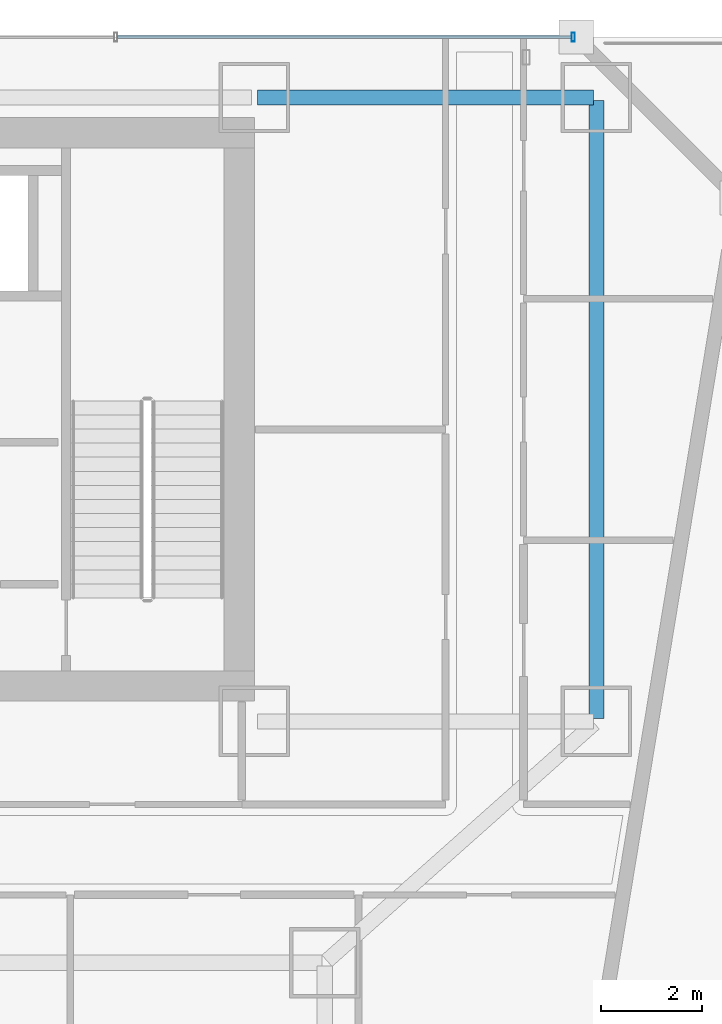
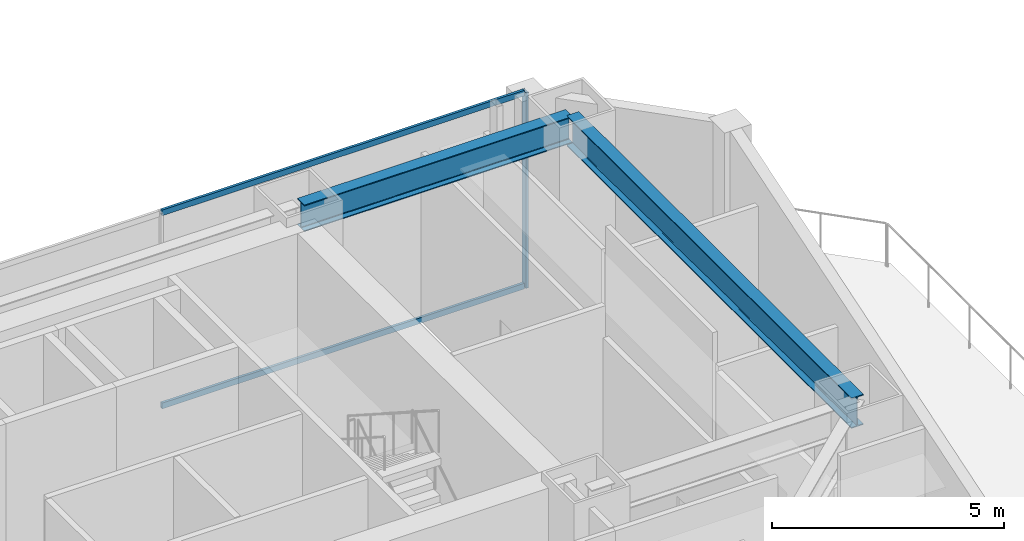
# One storey, part 19 of 29: 3 members, 2 beams, 1 element without a shape of its own.
"""IFC4 building model written with IfcOpenShell, lengths in metres."""

from ifc_helpers import new_model, si_unit, direction, frame, origin, origin_2d, place, context, subcontext, project, spatial, hollow_rectangle, i_section, extrude, material, material_profile, profile_set, type_object, element, aggregate, save


model = new_model("IFC4")

# Units and contexts
model_context = context("Model", 3, precision=1e-05, world=origin(), true_north=direction((0.0, 1.0)))
body_context = subcontext(model_context, "Body", "Model", "MODEL_VIEW")
ifc_project = project(units=[si_unit("LENGTHUNIT", "METRE"), si_unit("AREAUNIT", "SQUARE_METRE"), si_unit("VOLUMEUNIT", "CUBIC_METRE"), si_unit("PLANEANGLEUNIT", "RADIAN"), si_unit("MASSUNIT", "GRAM", prefix="KILO")], contexts=[model_context])

# Site, building, storey
site_placement = place(None, origin())
site = spatial("IfcSite", under=ifc_project, at=site_placement, CompositionType="ELEMENT")
building_placement = place(site_placement, origin())
building = spatial("IfcBuilding", under=site, at=building_placement, Name="Saevonmaru Cultural Tower", CompositionType="ELEMENT")
storey_placement = place(building_placement, frame((0.0, 0.0, 27.60009765625)))
storey = spatial("IfcBuildingStorey", under=building, at=storey_placement, Name="L05", CompositionType="ELEMENT", Elevation=27.60009765625)

# Beams
ifc_material_1 = material(Name="Steel SM420", Category="steel")
ifc_material_profile_1 = material_profile(ifc_material_1, i_section(OverallWidth=0.300048828125, OverallDepth=0.800048828125, WebThickness=0.013916015625, FlangeThickness=0.02587890625, FilletRadius=0.028076171875, at=origin_2d()), Name="H-800x300x14x26")
ifc_profile_set_1 = profile_set([ifc_material_profile_1], Name="Steel SM420")
beam_type_1 = type_object("IfcBeamType", Name="BM-G-H800", PredefinedType="BEAM", material=ifc_profile_set_1)
beam_1_placement = place(storey_placement, frame((53.199951171875, 54.739990234375, 4.75), z_axis=(0.0, -1.0, 0.0), x_axis=(1.0, 0.0, 0.0)))
element("IfcBeam", 1, at=beam_1_placement, inside=storey, type_object=beam_type_1, Name="L05 Spine Transverse Girder E", PredefinedType="BEAM", context=body_context, shape_type="SweptSolid", body=[
    extrude(i_section(OverallWidth=0.300048828125, OverallDepth=0.800048828125, WebThickness=0.013916015625, FlangeThickness=0.02587890625, FilletRadius=0.028076171875, at=origin_2d()), origin(), (0.0, 0.0, 1.0), 12.280029296875),
])
ifc_material_2 = material(Name="Steel SM355", Category="steel")
ifc_material_profile_2 = material_profile(ifc_material_2, i_section(OverallWidth=0.300048828125, OverallDepth=0.699951171875, WebThickness=0.012939453125, FlangeThickness=0.02392578125, FilletRadius=0.02587890625, at=origin_2d()), Name="H-700x300x13x24")
ifc_profile_set_2 = profile_set([ifc_material_profile_2], Name="Steel SM355")
beam_type_2 = type_object("IfcBeamType", Name="BM-SP-H700", PredefinedType="SPANDREL", material=ifc_profile_set_2)
beam_2_placement = place(storey_placement, frame((46.4599609375, 54.800048828125, 4.7998046875), z_axis=(1.0, 0.0, 0.0), x_axis=(0.0, 1.0, 0.0)))
element("IfcBeam", 2, at=beam_2_placement, inside=storey, type_object=beam_type_2, Name="L05 North Spine Girder 5", PredefinedType="SPANDREL", context=body_context, shape_type="SweptSolid", body=[
    extrude(i_section(OverallWidth=0.300048828125, OverallDepth=0.699951171875, WebThickness=0.012939453125, FlangeThickness=0.02392578125, FilletRadius=0.02587890625, at=origin_2d()), origin(), (0.0, 0.0, 1.0), 6.679931640625),
])

# Curtain wall, members
ifc_material_3 = material(Name="Satin Bronze Anodised Aluminium", Category="aluminium")
curtain_wall_type = type_object("IfcCurtainWallType", Name="CW-SKY-GLZ", PredefinedType="NOTDEFINED", material=ifc_material_3)
curtain_wall_placement = place(storey_placement, origin())
curtain_wall = element("IfcCurtainWall", 3, at=curtain_wall_placement, inside=storey, type_object=curtain_wall_type, Name="L05 Unitised Curtain Wall E10", PredefinedType="NOTDEFINED")
ifc_material_profile_3 = material_profile(ifc_material_3, hollow_rectangle(XDim=0.06494140625, YDim=0.179931640625, WallThickness=0.00390625, at=origin_2d()), Name="ALU-MULL-180x65x4")
ifc_profile_set_3 = profile_set([ifc_material_profile_3], Name="Satin Bronze Anodised Aluminium")
member_type_1 = type_object("IfcMemberType", Name="ML-CW-180x65", PredefinedType="MULLION", material=ifc_profile_set_3)
member_1_placement = place(storey_placement, frame((52.739990234375, 56.0, 0.0), z_axis=(0.0, 0.0, 1.0), x_axis=(-1.0, 0.0, 0.0)))
member_1 = element("IfcMember", 4, at=member_1_placement, type_object=member_type_1, Name="CW-TW-L05-E10 mullion 1", PredefinedType="MULLION", context=body_context, shape_type="SweptSolid", body=[
    extrude(hollow_rectangle(XDim=0.06494140625, YDim=0.179931640625, WallThickness=0.00390625, at=origin_2d()), origin(), (0.0, 0.0, 1.0), 5.14990234375),
])
ifc_material_profile_4 = material_profile(ifc_material_3, hollow_rectangle(XDim=0.06494140625, YDim=0.14990234375, WallThickness=0.00390625, at=origin_2d()), Name="ALU-TRAN-150x65x4")
ifc_profile_set_4 = profile_set([ifc_material_profile_4], Name="Satin Bronze Anodised Aluminium")
member_type_2 = type_object("IfcMemberType", Name="TR-CW-150x65", PredefinedType="USERDEFINED", material=ifc_profile_set_4)
member_2_placement = place(storey_placement, frame((52.70751953125, 56.0, 0.032470703125), z_axis=(-1.0, 0.0, 0.0), x_axis=(0.0, -1.0, 0.0)))
member_2 = element("IfcMember", 5, at=member_2_placement, type_object=member_type_2, Name="CW-TW-L05-E10 transom 1.1", ObjectType="TRANSOM", PredefinedType="USERDEFINED", context=body_context, shape_type="SweptSolid", body=[
    extrude(hollow_rectangle(XDim=0.06494140625, YDim=0.14990234375, WallThickness=0.00390625, at=origin_2d()), origin(), (0.0, 0.0, 1.0), 9.031005859375),
])
member_3_placement = place(storey_placement, frame((52.70751953125, 56.0, 5.117431640625), z_axis=(-1.0, 0.0, 0.0), x_axis=(0.0, -1.0, 0.0)))
member_3 = element("IfcMember", 6, at=member_3_placement, type_object=member_type_2, Name="CW-TW-L05-E10 transom 1.2", ObjectType="TRANSOM", PredefinedType="USERDEFINED", context=body_context, shape_type="SweptSolid", body=[
    extrude(hollow_rectangle(XDim=0.06494140625, YDim=0.14990234375, WallThickness=0.00390625, at=origin_2d()), origin(), (0.0, 0.0, 1.0), 9.031005859375),
])
aggregate(curtain_wall, [member_1, member_2, member_3])

save(model, "model.ifc")
